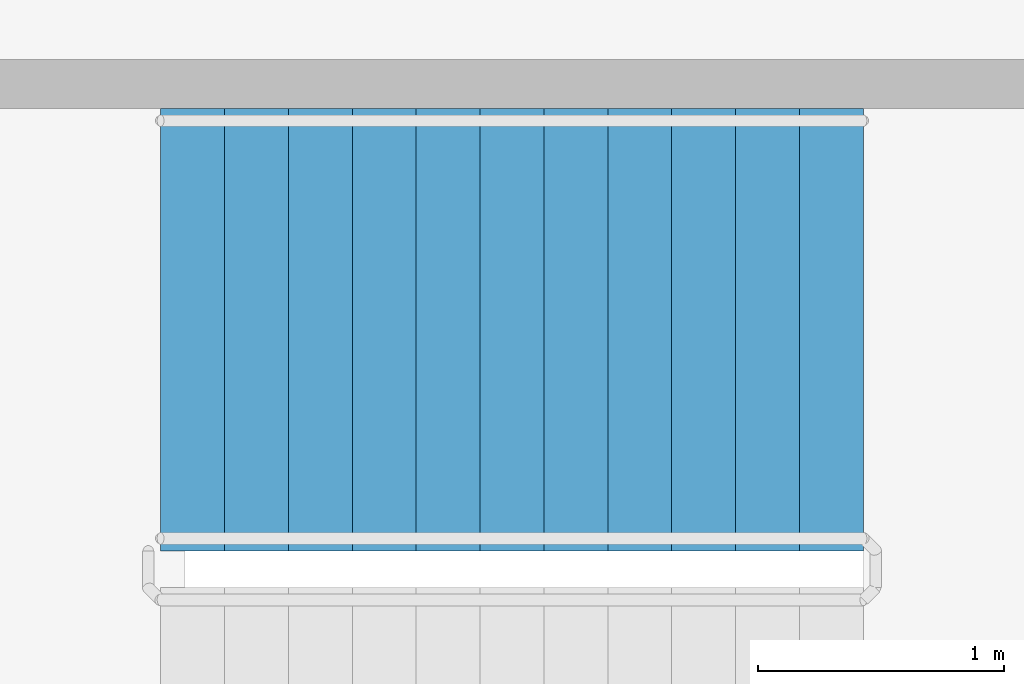
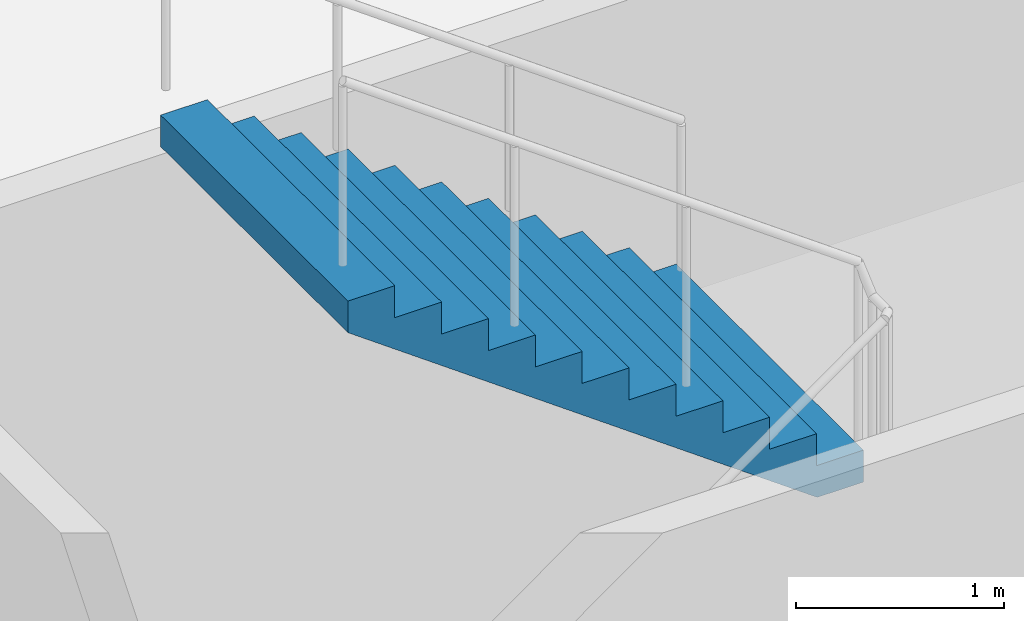
# One storey, part 34 of 49: 1 stair flight, 1 element without a shape of its own.
"""IFC4 building model written with IfcOpenShell, lengths in metres."""

from ifc_helpers import new_model, si_unit, direction, frame, origin, place, context, subcontext, project, spatial, faceted_brep, material, type_object, element, aggregate, save


model = new_model("IFC4")

# Units and contexts
model_context = context("Model", 3, precision=1e-05, world=origin(), true_north=direction((0.0, 1.0)))
body_context = subcontext(model_context, "Body", "Model", "MODEL_VIEW")
ifc_project = project(units=[si_unit("LENGTHUNIT", "METRE"), si_unit("AREAUNIT", "SQUARE_METRE"), si_unit("VOLUMEUNIT", "CUBIC_METRE"), si_unit("PLANEANGLEUNIT", "RADIAN"), si_unit("MASSUNIT", "GRAM", prefix="KILO")], contexts=[model_context])

# Site, building, storey
site_placement = place(None, origin())
site = spatial("IfcSite", under=ifc_project, at=site_placement, CompositionType="ELEMENT")
building_placement = place(site_placement, origin())
building = spatial("IfcBuilding", under=site, at=building_placement, Name="Ipe Terrace Towers", CompositionType="ELEMENT")
storey_placement = place(building_placement, frame((0.0, 0.0, 11.0)))
storey = spatial("IfcBuildingStorey", under=building, at=storey_placement, Name="L02", CompositionType="ELEMENT", Elevation=11.0)

# Stair, stair flight
ifc_material_1 = material(Name="Concrete C30/37", Category="concrete")
stair_type = type_object("IfcStairType", Name="Protected exit stair", PredefinedType="HALF_TURN_STAIR", material=ifc_material_1)
stair_placement = place(storey_placement, origin())
stair = element("IfcStair", 1, at=stair_placement, inside=storey, type_object=stair_type, Name="L02 Podium exit stair PS5", PredefinedType="HALF_TURN_STAIR")
ifc_material_2 = material(Name="Concrete C30/37", Category="concrete")
stair_flight_type = type_object("IfcStairFlightType", Name="Exit stair flight 1800", PredefinedType="STRAIGHT", material=ifc_material_2)
stair_flight_placement = place(storey_placement, frame((-0.889892578125, -20.550048828125, 2.25), z_axis=(0.0, 0.0, 1.0), x_axis=(-1.0, 0.0, 0.0)))
stair_flight = element("IfcStairFlight", 2, at=stair_flight_placement, type_object=stair_flight_type, Name="PS5 flight 2", NumberOfRisers=12, NumberOfTreads=11, PredefinedType="STRAIGHT", RiserHeight=0.1875, TreadLength=0.26, context=body_context, shape_type="Brep", body=[
    faceted_brep([(0.25634765625, -0.89990234375, 0.0), (2.860107421875, -0.89990234375, 1.877685546875), (2.860107421875, -0.89990234375, 2.0625), (2.60009765625, -0.89990234375, 2.0625), (2.60009765625, -0.89990234375, 1.875), (2.340087890625, -0.89990234375, 1.875), (2.340087890625, -0.89990234375, 1.6875), (2.080078125, -0.89990234375, 1.6875), (2.080078125, -0.89990234375, 1.5), (1.820068359375, -0.89990234375, 1.5), (1.820068359375, -0.89990234375, 1.3125), (1.56005859375, -0.89990234375, 1.3125), (1.56005859375, -0.89990234375, 1.125), (1.300048828125, -0.89990234375, 1.125), (1.300048828125, -0.89990234375, 0.9375), (1.0400390625, -0.89990234375, 0.9375), (1.0400390625, -0.89990234375, 0.75), (0.780029296875, -0.89990234375, 0.75), (0.780029296875, -0.89990234375, 0.5625), (0.52001953125, -0.89990234375, 0.5625), (0.52001953125, -0.89990234375, 0.375), (0.260009765625, -0.89990234375, 0.375), (0.260009765625, -0.89990234375, 0.1875), (0.0, -0.89990234375, 0.1875), (0.0, -0.89990234375, 0.0), (0.0, 0.89990234375, 0.0), (0.0, 0.89990234375, 0.1875), (0.260009765625, 0.89990234375, 0.1875), (0.260009765625, 0.89990234375, 0.375), (0.52001953125, 0.89990234375, 0.375), (0.52001953125, 0.89990234375, 0.5625), (0.780029296875, 0.89990234375, 0.5625), (0.780029296875, 0.89990234375, 0.75), (1.0400390625, 0.89990234375, 0.75), (1.0400390625, 0.89990234375, 0.9375), (1.300048828125, 0.89990234375, 0.9375), (1.300048828125, 0.89990234375, 1.125), (1.56005859375, 0.89990234375, 1.125), (1.56005859375, 0.89990234375, 1.3125), (1.820068359375, 0.89990234375, 1.3125), (1.820068359375, 0.89990234375, 1.5), (2.080078125, 0.89990234375, 1.5), (2.080078125, 0.89990234375, 1.6875), (2.340087890625, 0.89990234375, 1.6875), (2.340087890625, 0.89990234375, 1.875), (2.60009765625, 0.89990234375, 1.875), (2.60009765625, 0.89990234375, 2.0625), (2.860107421875, 0.89990234375, 2.0625), (2.860107421875, 0.89990234375, 1.877685546875), (0.25634765625, 0.89990234375, 0.0), (0.0, -0.300048828125, 0.1875), (0.0, -0.1201171875, 0.1875), (0.0, -0.06005859375, 0.1875), (0.0, -0.030029296875, 0.1875), (0.0, -0.010009765625, 0.1875), (0.0, 0.0, 0.1875), (0.0, 0.010009765625, 0.1875), (0.0, 0.030029296875, 0.1875), (0.0, 0.06005859375, 0.1875), (0.0, 0.1201171875, 0.1875), (0.0, 0.300048828125, 0.1875), (0.0, 0.300048828125, 0.0), (0.0, 0.1201171875, 0.0), (0.0, 0.06005859375, 0.0), (0.0, 0.030029296875, 0.0), (0.0, 0.010009765625, 0.0), (0.0, 0.0, 0.0), (0.0, -0.010009765625, 0.0), (0.0, -0.030029296875, 0.0), (0.0, -0.06005859375, 0.0), (0.0, -0.1201171875, 0.0), (0.0, -0.300048828125, 0.0), (0.260009765625, -0.300048828125, 0.1875), (0.260009765625, -0.1201171875, 0.1875), (0.260009765625, -0.06005859375, 0.1875), (0.260009765625, -0.030029296875, 0.1875), (0.260009765625, -0.010009765625, 0.1875), (0.260009765625, 0.0, 0.1875), (0.260009765625, 0.010009765625, 0.1875), (0.260009765625, 0.030029296875, 0.1875), (0.260009765625, 0.06005859375, 0.1875), (0.260009765625, 0.1201171875, 0.1875), (0.260009765625, 0.300048828125, 0.1875), (0.260009765625, -0.300048828125, 0.375), (0.260009765625, -0.1201171875, 0.375), (0.260009765625, -0.06005859375, 0.375), (0.260009765625, -0.030029296875, 0.375), (0.260009765625, -0.010009765625, 0.375), (0.260009765625, 0.0, 0.375), (0.260009765625, 0.010009765625, 0.375), (0.260009765625, 0.030029296875, 0.375), (0.260009765625, 0.06005859375, 0.375), (0.260009765625, 0.1201171875, 0.375), (0.260009765625, 0.300048828125, 0.375), (0.52001953125, -0.300048828125, 0.375), (0.52001953125, -0.1201171875, 0.375), (0.52001953125, -0.06005859375, 0.375), (0.52001953125, -0.030029296875, 0.375), (0.52001953125, -0.010009765625, 0.375), (0.52001953125, 0.0, 0.375), (0.52001953125, 0.010009765625, 0.375), (0.52001953125, 0.030029296875, 0.375), (0.52001953125, 0.06005859375, 0.375), (0.52001953125, 0.1201171875, 0.375), (0.52001953125, 0.300048828125, 0.375), (0.52001953125, -0.300048828125, 0.5625), (0.52001953125, -0.1201171875, 0.5625), (0.52001953125, -0.06005859375, 0.5625), (0.52001953125, -0.030029296875, 0.5625), (0.52001953125, -0.010009765625, 0.5625), (0.52001953125, 0.0, 0.5625), (0.52001953125, 0.010009765625, 0.5625), (0.52001953125, 0.030029296875, 0.5625), (0.52001953125, 0.06005859375, 0.5625), (0.52001953125, 0.1201171875, 0.5625), (0.52001953125, 0.300048828125, 0.5625), (0.780029296875, -0.300048828125, 0.5625), (0.780029296875, -0.1201171875, 0.5625), (0.780029296875, -0.06005859375, 0.5625), (0.780029296875, -0.030029296875, 0.5625), (0.780029296875, -0.010009765625, 0.5625), (0.780029296875, 0.0, 0.5625), (0.780029296875, 0.010009765625, 0.5625), (0.780029296875, 0.030029296875, 0.5625), (0.780029296875, 0.06005859375, 0.5625), (0.780029296875, 0.1201171875, 0.5625), (0.780029296875, 0.300048828125, 0.5625), (0.780029296875, -0.300048828125, 0.75), (0.780029296875, -0.1201171875, 0.75), (0.780029296875, -0.06005859375, 0.75), (0.780029296875, -0.030029296875, 0.75), (0.780029296875, -0.010009765625, 0.75), (0.780029296875, 0.0, 0.75), (0.780029296875, 0.010009765625, 0.75), (0.780029296875, 0.030029296875, 0.75), (0.780029296875, 0.06005859375, 0.75), (0.780029296875, 0.1201171875, 0.75), (0.780029296875, 0.300048828125, 0.75), (1.0400390625, -0.300048828125, 0.75), (1.0400390625, -0.1201171875, 0.75), (1.0400390625, -0.06005859375, 0.75), (1.0400390625, -0.030029296875, 0.75), (1.0400390625, -0.010009765625, 0.75), (1.0400390625, 0.0, 0.75), (1.0400390625, 0.010009765625, 0.75), (1.0400390625, 0.030029296875, 0.75), (1.0400390625, 0.06005859375, 0.75), (1.0400390625, 0.1201171875, 0.75), (1.0400390625, 0.300048828125, 0.75), (1.0400390625, -0.300048828125, 0.9375), (1.0400390625, -0.1201171875, 0.9375), (1.0400390625, -0.06005859375, 0.9375), (1.0400390625, -0.030029296875, 0.9375), (1.0400390625, -0.010009765625, 0.9375), (1.0400390625, 0.0, 0.9375), (1.0400390625, 0.010009765625, 0.9375), (1.0400390625, 0.030029296875, 0.9375), (1.0400390625, 0.06005859375, 0.9375), (1.0400390625, 0.1201171875, 0.9375), (1.0400390625, 0.300048828125, 0.9375), (1.300048828125, -0.300048828125, 0.9375), (1.300048828125, -0.1201171875, 0.9375), (1.300048828125, -0.06005859375, 0.9375), (1.300048828125, -0.030029296875, 0.9375), (1.300048828125, -0.010009765625, 0.9375), (1.300048828125, 0.0, 0.9375), (1.300048828125, 0.010009765625, 0.9375), (1.300048828125, 0.030029296875, 0.9375), (1.300048828125, 0.06005859375, 0.9375), (1.300048828125, 0.1201171875, 0.9375), (1.300048828125, 0.300048828125, 0.9375), (1.300048828125, -0.300048828125, 1.125), (1.300048828125, -0.1201171875, 1.125), (1.300048828125, -0.06005859375, 1.125), (1.300048828125, -0.030029296875, 1.125), (1.300048828125, -0.010009765625, 1.125), (1.300048828125, 0.0, 1.125), (1.300048828125, 0.010009765625, 1.125), (1.300048828125, 0.030029296875, 1.125), (1.300048828125, 0.06005859375, 1.125), (1.300048828125, 0.1201171875, 1.125), (1.300048828125, 0.300048828125, 1.125), (1.56005859375, -0.300048828125, 1.125), (1.56005859375, -0.1201171875, 1.125), (1.56005859375, -0.06005859375, 1.125), (1.56005859375, -0.030029296875, 1.125), (1.56005859375, -0.010009765625, 1.125), (1.56005859375, 0.0, 1.125), (1.56005859375, 0.010009765625, 1.125), (1.56005859375, 0.030029296875, 1.125), (1.56005859375, 0.06005859375, 1.125), (1.56005859375, 0.1201171875, 1.125), (1.56005859375, 0.300048828125, 1.125), (1.56005859375, -0.300048828125, 1.3125), (1.56005859375, -0.1201171875, 1.3125), (1.56005859375, -0.06005859375, 1.3125), (1.56005859375, -0.030029296875, 1.3125), (1.56005859375, -0.010009765625, 1.3125), (1.56005859375, 0.0, 1.3125), (1.56005859375, 0.010009765625, 1.3125), (1.56005859375, 0.030029296875, 1.3125), (1.56005859375, 0.06005859375, 1.3125), (1.56005859375, 0.1201171875, 1.3125), (1.56005859375, 0.300048828125, 1.3125), (1.820068359375, -0.300048828125, 1.3125), (1.820068359375, -0.1201171875, 1.3125), (1.820068359375, -0.06005859375, 1.3125), (1.820068359375, -0.030029296875, 1.3125), (1.820068359375, -0.010009765625, 1.3125), (1.820068359375, 0.0, 1.3125), (1.820068359375, 0.010009765625, 1.3125), (1.820068359375, 0.030029296875, 1.3125), (1.820068359375, 0.06005859375, 1.3125), (1.820068359375, 0.1201171875, 1.3125), (1.820068359375, 0.300048828125, 1.3125), (1.820068359375, -0.300048828125, 1.5), (1.820068359375, -0.1201171875, 1.5), (1.820068359375, -0.06005859375, 1.5), (1.820068359375, -0.030029296875, 1.5), (1.820068359375, -0.010009765625, 1.5), (1.820068359375, 0.0, 1.5), (1.820068359375, 0.010009765625, 1.5), (1.820068359375, 0.030029296875, 1.5), (1.820068359375, 0.06005859375, 1.5), (1.820068359375, 0.1201171875, 1.5), (1.820068359375, 0.300048828125, 1.5), (2.080078125, -0.300048828125, 1.5), (2.080078125, -0.1201171875, 1.5), (2.080078125, -0.06005859375, 1.5), (2.080078125, -0.030029296875, 1.5), (2.080078125, -0.010009765625, 1.5), (2.080078125, 0.0, 1.5), (2.080078125, 0.010009765625, 1.5), (2.080078125, 0.030029296875, 1.5), (2.080078125, 0.06005859375, 1.5), (2.080078125, 0.1201171875, 1.5), (2.080078125, 0.300048828125, 1.5), (2.080078125, -0.300048828125, 1.6875), (2.080078125, -0.1201171875, 1.6875), (2.080078125, -0.06005859375, 1.6875), (2.080078125, -0.030029296875, 1.6875), (2.080078125, -0.010009765625, 1.6875), (2.080078125, 0.0, 1.6875), (2.080078125, 0.010009765625, 1.6875), (2.080078125, 0.030029296875, 1.6875), (2.080078125, 0.06005859375, 1.6875), (2.080078125, 0.1201171875, 1.6875), (2.080078125, 0.300048828125, 1.6875), (2.340087890625, -0.300048828125, 1.6875), (2.340087890625, -0.1201171875, 1.6875), (2.340087890625, -0.06005859375, 1.6875), (2.340087890625, -0.030029296875, 1.6875), (2.340087890625, -0.010009765625, 1.6875), (2.340087890625, 0.0, 1.6875), (2.340087890625, 0.010009765625, 1.6875), (2.340087890625, 0.030029296875, 1.6875), (2.340087890625, 0.06005859375, 1.6875), (2.340087890625, 0.1201171875, 1.6875), (2.340087890625, 0.300048828125, 1.6875), (2.340087890625, -0.300048828125, 1.875), (2.340087890625, -0.1201171875, 1.875), (2.340087890625, -0.06005859375, 1.875), (2.340087890625, -0.030029296875, 1.875), (2.340087890625, -0.010009765625, 1.875), (2.340087890625, 0.0, 1.875), (2.340087890625, 0.010009765625, 1.875), (2.340087890625, 0.030029296875, 1.875), (2.340087890625, 0.06005859375, 1.875), (2.340087890625, 0.1201171875, 1.875), (2.340087890625, 0.300048828125, 1.875), (2.60009765625, -0.300048828125, 1.875), (2.60009765625, -0.1201171875, 1.875), (2.60009765625, -0.06005859375, 1.875), (2.60009765625, -0.030029296875, 1.875), (2.60009765625, -0.010009765625, 1.875), (2.60009765625, 0.0, 1.875), (2.60009765625, 0.010009765625, 1.875), (2.60009765625, 0.030029296875, 1.875), (2.60009765625, 0.06005859375, 1.875), (2.60009765625, 0.1201171875, 1.875), (2.60009765625, 0.300048828125, 1.875), (2.60009765625, -0.300048828125, 2.0625), (2.60009765625, -0.1201171875, 2.0625), (2.60009765625, -0.06005859375, 2.0625), (2.60009765625, -0.030029296875, 2.0625), (2.60009765625, -0.010009765625, 2.0625), (2.60009765625, 0.0, 2.0625), (2.60009765625, 0.010009765625, 2.0625), (2.60009765625, 0.030029296875, 2.0625), (2.60009765625, 0.06005859375, 2.0625), (2.60009765625, 0.1201171875, 2.0625), (2.60009765625, 0.300048828125, 2.0625), (2.860107421875, -0.300048828125, 2.0625), (2.860107421875, -0.1201171875, 2.0625), (2.860107421875, -0.06005859375, 2.0625), (2.860107421875, -0.030029296875, 2.0625), (2.860107421875, -0.010009765625, 2.0625), (2.860107421875, 0.0, 2.0625), (2.860107421875, 0.010009765625, 2.0625), (2.860107421875, 0.030029296875, 2.0625), (2.860107421875, 0.06005859375, 2.0625), (2.860107421875, 0.1201171875, 2.0625), (2.860107421875, 0.300048828125, 2.0625), (2.860107421875, -0.300048828125, 1.877685546875), (2.860107421875, -0.1201171875, 1.877685546875), (2.860107421875, -0.06005859375, 1.877685546875), (2.860107421875, -0.030029296875, 1.877685546875), (2.860107421875, -0.010009765625, 1.877685546875), (2.860107421875, 0.0, 1.877685546875), (2.860107421875, 0.010009765625, 1.877685546875), (2.860107421875, 0.030029296875, 1.877685546875), (2.860107421875, 0.06005859375, 1.877685546875), (2.860107421875, 0.1201171875, 1.877685546875), (2.860107421875, 0.300048828125, 1.877685546875), (0.25634765625, -0.300048828125, 0.0), (0.25634765625, -0.1201171875, 0.0), (0.25634765625, -0.06005859375, 0.0), (0.25634765625, -0.030029296875, 0.0), (0.25634765625, -0.010009765625, 0.0), (0.25634765625, 0.0, 0.0), (0.25634765625, 0.010009765625, 0.0), (0.25634765625, 0.030029296875, 0.0), (0.25634765625, 0.06005859375, 0.0), (0.25634765625, 0.1201171875, 0.0), (0.25634765625, 0.300048828125, 0.0)], [[[0, 1, 2, 3, 4, 5, 6, 7, 8, 9, 10, 11, 12, 13, 14, 15, 16, 17, 18, 19, 20, 21, 22, 23, 24]], [[25, 26, 27, 28, 29, 30, 31, 32, 33, 34, 35, 36, 37, 38, 39, 40, 41, 42, 43, 44, 45, 46, 47, 48, 49]], [[23, 50, 51, 52, 53, 54, 55, 56, 57, 58, 59, 60, 26, 25, 61, 62, 63, 64, 65, 66, 67, 68, 69, 70, 71, 24]], [[22, 72, 73, 74, 75, 76, 77, 78, 79, 80, 81, 82, 27, 26, 60, 59, 58, 57, 56, 55, 54, 53, 52, 51, 50, 23]], [[21, 83, 84, 85, 86, 87, 88, 89, 90, 91, 92, 93, 28, 27, 82, 81, 80, 79, 78, 77, 76, 75, 74, 73, 72, 22]], [[20, 94, 95, 96, 97, 98, 99, 100, 101, 102, 103, 104, 29, 28, 93, 92, 91, 90, 89, 88, 87, 86, 85, 84, 83, 21]], [[19, 105, 106, 107, 108, 109, 110, 111, 112, 113, 114, 115, 30, 29, 104, 103, 102, 101, 100, 99, 98, 97, 96, 95, 94, 20]], [[18, 116, 117, 118, 119, 120, 121, 122, 123, 124, 125, 126, 31, 30, 115, 114, 113, 112, 111, 110, 109, 108, 107, 106, 105, 19]], [[17, 127, 128, 129, 130, 131, 132, 133, 134, 135, 136, 137, 32, 31, 126, 125, 124, 123, 122, 121, 120, 119, 118, 117, 116, 18]], [[16, 138, 139, 140, 141, 142, 143, 144, 145, 146, 147, 148, 33, 32, 137, 136, 135, 134, 133, 132, 131, 130, 129, 128, 127, 17]], [[15, 149, 150, 151, 152, 153, 154, 155, 156, 157, 158, 159, 34, 33, 148, 147, 146, 145, 144, 143, 142, 141, 140, 139, 138, 16]], [[14, 160, 161, 162, 163, 164, 165, 166, 167, 168, 169, 170, 35, 34, 159, 158, 157, 156, 155, 154, 153, 152, 151, 150, 149, 15]], [[13, 171, 172, 173, 174, 175, 176, 177, 178, 179, 180, 181, 36, 35, 170, 169, 168, 167, 166, 165, 164, 163, 162, 161, 160, 14]], [[12, 182, 183, 184, 185, 186, 187, 188, 189, 190, 191, 192, 37, 36, 181, 180, 179, 178, 177, 176, 175, 174, 173, 172, 171, 13]], [[11, 193, 194, 195, 196, 197, 198, 199, 200, 201, 202, 203, 38, 37, 192, 191, 190, 189, 188, 187, 186, 185, 184, 183, 182, 12]], [[10, 204, 205, 206, 207, 208, 209, 210, 211, 212, 213, 214, 39, 38, 203, 202, 201, 200, 199, 198, 197, 196, 195, 194, 193, 11]], [[9, 215, 216, 217, 218, 219, 220, 221, 222, 223, 224, 225, 40, 39, 214, 213, 212, 211, 210, 209, 208, 207, 206, 205, 204, 10]], [[8, 226, 227, 228, 229, 230, 231, 232, 233, 234, 235, 236, 41, 40, 225, 224, 223, 222, 221, 220, 219, 218, 217, 216, 215, 9]], [[7, 237, 238, 239, 240, 241, 242, 243, 244, 245, 246, 247, 42, 41, 236, 235, 234, 233, 232, 231, 230, 229, 228, 227, 226, 8]], [[6, 248, 249, 250, 251, 252, 253, 254, 255, 256, 257, 258, 43, 42, 247, 246, 245, 244, 243, 242, 241, 240, 239, 238, 237, 7]], [[5, 259, 260, 261, 262, 263, 264, 265, 266, 267, 268, 269, 44, 43, 258, 257, 256, 255, 254, 253, 252, 251, 250, 249, 248, 6]], [[4, 270, 271, 272, 273, 274, 275, 276, 277, 278, 279, 280, 45, 44, 269, 268, 267, 266, 265, 264, 263, 262, 261, 260, 259, 5]], [[3, 281, 282, 283, 284, 285, 286, 287, 288, 289, 290, 291, 46, 45, 280, 279, 278, 277, 276, 275, 274, 273, 272, 271, 270, 4]], [[2, 292, 293, 294, 295, 296, 297, 298, 299, 300, 301, 302, 47, 46, 291, 290, 289, 288, 287, 286, 285, 284, 283, 282, 281, 3]], [[1, 303, 304, 305, 306, 307, 308, 309, 310, 311, 312, 313, 48, 47, 302, 301, 300, 299, 298, 297, 296, 295, 294, 293, 292, 2]], [[0, 314, 315, 316, 317, 318, 319, 320, 321, 322, 323, 324, 49, 48, 313, 312, 311, 310, 309, 308, 307, 306, 305, 304, 303, 1]], [[24, 71, 70, 69, 68, 67, 66, 65, 64, 63, 62, 61, 25, 49, 324, 323, 322, 321, 320, 319, 318, 317, 316, 315, 314, 0]]]),
])
aggregate(stair, [stair_flight])

save(model, "model.ifc")
